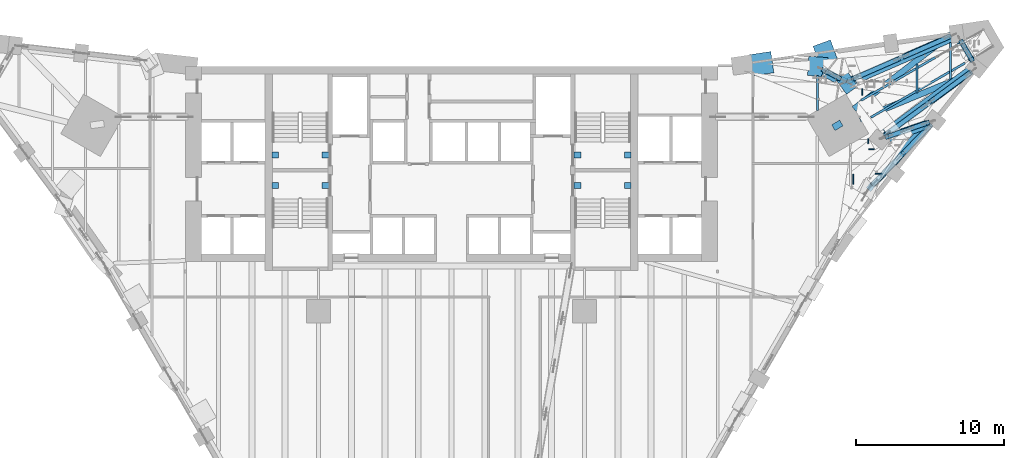
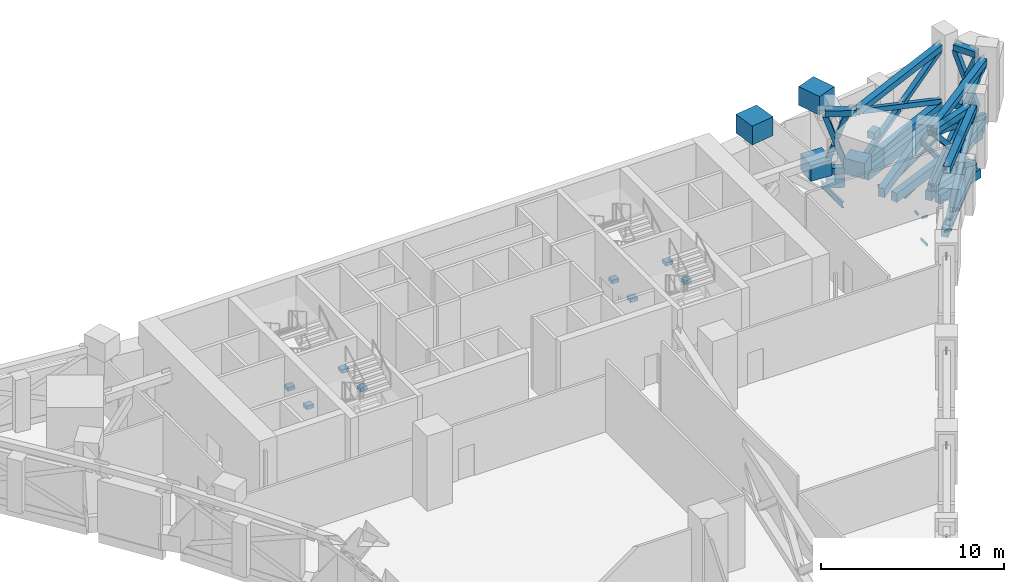
# One storey, part 5 of 22: 36 members, 23 beams, 1 element without a shape of its own.
"""IFC4 building model written with IfcOpenShell, lengths in metres."""

from ifc_helpers import new_model, si_unit, direction, frame, origin, origin_2d, place, context, subcontext, project, spatial, rectangle, hollow_rectangle, i_section, extrude, material, material_profile, profile_set, type_object, element, aggregate, save


model = new_model("IFC4")

# Units and contexts
model_context = context("Model", 3, precision=1e-05, world=origin(), true_north=direction((0.0, 1.0)))
body_context = subcontext(model_context, "Body", "Model", "MODEL_VIEW")
ifc_project = project(units=[si_unit("LENGTHUNIT", "METRE"), si_unit("AREAUNIT", "SQUARE_METRE"), si_unit("VOLUMEUNIT", "CUBIC_METRE"), si_unit("PLANEANGLEUNIT", "RADIAN"), si_unit("MASSUNIT", "GRAM", prefix="KILO")], contexts=[model_context])

# Site, building, storey
site_placement = place(None, origin())
site = spatial("IfcSite", under=ifc_project, at=site_placement, CompositionType="ELEMENT")
building_placement = place(site_placement, origin())
building = spatial("IfcBuilding", under=site, at=building_placement, Name="Calabash Gate Tower", CompositionType="ELEMENT")
storey_placement = place(building_placement, frame((0.0, 0.0, 86.800048828125)))
storey = spatial("IfcBuildingStorey", under=building, at=storey_placement, Name="L18", CompositionType="ELEMENT", Elevation=86.800048828125)

# Members
ifc_material_1 = material(Name="Steel ASTM A500 Gr C", Category="steel")
ifc_material_profile_1 = material_profile(ifc_material_1, hollow_rectangle(XDim=0.406494140625, YDim=0.406494140625, WallThickness=0.015869140625, at=origin_2d()))
ifc_profile_set_1 = profile_set([ifc_material_profile_1], Name="Steel ASTM A500 Gr C")
member_type_1 = type_object("IfcMemberType", Name="Belt truss chord HSS16X16X.625 ASTM A500 Gr C", PredefinedType="CHORD", material=ifc_profile_set_1)
member_1_placement = place(storey_placement, frame((28.51123046875, 11.059814453125, 0.203125), z_axis=(0.694063890922, 0.719913408209, 0.0), x_axis=(-0.719913408209, 0.694063890922, 0.0)))
element("IfcMember", 1, at=member_1_placement, inside=storey, type_object=member_type_1, Name="Belt chord L18 61", PredefinedType="CHORD", context=body_context, shape_type="SweptSolid", body=[
    extrude(hollow_rectangle(XDim=0.406494140625, YDim=0.406494140625, WallThickness=0.015869140625, at=origin_2d()), origin(), (0.0, 0.0, 1.0), 5.610107421875),
])
member_2_placement = place(storey_placement, frame((28.194091796875, 10.72998046875, 4.02685546875), z_axis=(0.693991100472, 0.719983577914, 0.0), x_axis=(-0.719983577914, 0.693991100472, 0.0)))
element("IfcMember", 2, at=member_2_placement, inside=storey, type_object=member_type_1, Name="Belt chord L18 62", PredefinedType="CHORD", context=body_context, shape_type="SweptSolid", body=[
    extrude(hollow_rectangle(XDim=0.406494140625, YDim=0.406494140625, WallThickness=0.015869140625, at=origin_2d()), origin(), (0.0, 0.0, 1.0), 6.067626953125),
])
for number, where, z_axis, x_axis, name in (
    (3, (32.21484375, 15.249267578125, 0.203125), (-0.944630590677, -0.32813571454, 0.0), (0.32813571454, -0.944630590677, 0.0), "Belt chord L18 66"),
    (4, (32.21484375, 15.249267578125, 4.02685546875), (-0.944630590677, -0.32813571454, 0.0), (0.32813571454, -0.944630590677, 0.0), "Belt chord L18 67"),
):
    element("IfcMember", number, at=place(storey_placement, frame(where, z_axis=z_axis, x_axis=x_axis)), inside=storey, type_object=member_type_1, Name=name, PredefinedType="CHORD", context=body_context, shape_type="SweptSolid", body=[
        extrude(hollow_rectangle(XDim=0.406494140625, YDim=0.406494140625, WallThickness=0.015869140625, at=origin_2d()), origin(), (0.0, 0.0, 1.0), 2.927734375),
    ])
for number, where, z_axis, x_axis, name in (
    (5, (29.32080078125, 14.390380859375, 0.203125), (0.804892704101, 0.593420369456, 0.0), (-0.593420369456, 0.804892704101, 0.0), "Belt chord L18 71"),
    (6, (29.32080078125, 14.390380859375, 4.02685546875), (0.804892704101, 0.593420369456, 0.0), (-0.593420369456, 0.804892704101, 0.0), "Belt chord L18 72"),
):
    element("IfcMember", number, at=place(storey_placement, frame(where, z_axis=z_axis, x_axis=x_axis)), inside=storey, type_object=member_type_1, Name=name, PredefinedType="CHORD", context=body_context, shape_type="SweptSolid", body=[
        extrude(hollow_rectangle(XDim=0.406494140625, YDim=0.406494140625, WallThickness=0.015869140625, at=origin_2d()), origin(), (0.0, 0.0, 1.0), 7.2236328125),
    ])
for number, where, z_axis, x_axis, name in (
    (7, (35.1875, 19.512939453125, 0.203125), (-0.500011304563, 0.866018876994, 0.0), (-0.866018876994, -0.500011304563, 0.0), "Belt chord L18 76"),
    (8, (35.1875, 19.512939453125, 4.02685546875), (-0.500011304563, 0.866018876994, 0.0), (-0.866018876994, -0.500011304563, 0.0), "Belt chord L18 77"),
):
    element("IfcMember", number, at=place(storey_placement, frame(where, z_axis=z_axis, x_axis=x_axis)), inside=storey, type_object=member_type_1, Name=name, PredefinedType="CHORD", context=body_context, shape_type="SweptSolid", body=[
        extrude(hollow_rectangle(XDim=0.406494140625, YDim=0.406494140625, WallThickness=0.015869140625, at=origin_2d()), origin(), (0.0, 0.0, 1.0), 1.39013671875),
    ])
member_3_placement = place(storey_placement, frame((33.7421875, 21.089111328125, 0.203125), z_axis=(-0.916367421899, -0.400338292051, 0.0), x_axis=(0.400338292051, -0.916367421899, 0.0)))
element("IfcMember", 9, at=member_3_placement, inside=storey, type_object=member_type_1, Name="Belt chord L18 81", PredefinedType="CHORD", context=body_context, shape_type="SweptSolid", body=[
    extrude(hollow_rectangle(XDim=0.406494140625, YDim=0.406494140625, WallThickness=0.015869140625, at=origin_2d()), origin(), (0.0, 0.0, 1.0), 7.223388671875),
])
member_4_placement = place(storey_placement, frame((33.7421875, 21.089111328125, 4.02685546875), z_axis=(-0.916388749611, -0.400289469742, 0.0), x_axis=(0.400289469742, -0.916388749611, 0.0)))
element("IfcMember", 10, at=member_4_placement, inside=storey, type_object=member_type_1, Name="Belt chord L18 82", PredefinedType="CHORD", context=body_context, shape_type="SweptSolid", body=[
    extrude(hollow_rectangle(XDim=0.406494140625, YDim=0.406494140625, WallThickness=0.015869140625, at=origin_2d()), origin(), (0.0, 0.0, 1.0), 7.694580078125),
])
member_5_placement = place(storey_placement, frame((26.202880859375, 18.2666015625, 0.203125), z_axis=(-0.887213320221, 0.461359430836, 0.0), x_axis=(-0.461359430836, -0.887213320221, 0.0)))
element("IfcMember", 11, at=member_5_placement, inside=storey, type_object=member_type_1, Name="Belt chord L18 86", PredefinedType="CHORD", context=body_context, shape_type="SweptSolid", body=[
    extrude(hollow_rectangle(XDim=0.406494140625, YDim=0.406494140625, WallThickness=0.015869140625, at=origin_2d()), origin(), (0.0, 0.0, 1.0), 1.148193359375),
])
member_6_placement = place(storey_placement, frame((26.698974609375, 18.008056640625, 4.02685546875), z_axis=(-0.887076319325, 0.461622793731, 0.0), x_axis=(-0.461622793731, -0.887076319325, 0.0)))
element("IfcMember", 12, at=member_6_placement, inside=storey, type_object=member_type_1, Name="Belt chord L18 87", PredefinedType="CHORD", context=body_context, shape_type="SweptSolid", body=[
    extrude(hollow_rectangle(XDim=0.406494140625, YDim=0.406494140625, WallThickness=0.015869140625, at=origin_2d()), origin(), (0.0, 0.0, 1.0), 1.707763671875),
])
ifc_material_2 = material(Name="Steel ASTM A500 Gr C", Category="steel")
ifc_material_profile_2 = material_profile(ifc_material_2, hollow_rectangle(XDim=0.3046875, YDim=0.3046875, WallThickness=0.0126953125, at=origin_2d()))
ifc_profile_set_2 = profile_set([ifc_material_profile_2], Name="Steel ASTM A500 Gr C")
member_type_2 = type_object("IfcMemberType", Name="Belt truss diagonal HSS12X12X.500 ASTM A500 Gr C", PredefinedType="BRACE", material=ifc_profile_set_2)
member_7_placement = place(storey_placement, frame((28.51123046875, 11.059814453125, 0.40625), z_axis=(0.592757331883, 0.614833816625, 0.520209691791), x_axis=(-0.719913408209, 0.694063890922, 0.0)))
element("IfcMember", 13, at=member_7_placement, inside=storey, type_object=member_type_2, Name="Belt diagonal L18 63", PredefinedType="BRACE", context=body_context, shape_type="SweptSolid", body=[
    extrude(hollow_rectangle(XDim=0.3046875, YDim=0.3046875, WallThickness=0.0126953125, at=origin_2d()), origin(), (0.0, 0.0, 1.0), 6.56884765625),
])
member_8_placement = place(storey_placement, frame((30.559814453125, 13.184814453125, 2.025634765625), z_axis=(0.592770687221, 0.614809396286, -0.520223335319), x_axis=(-0.71989181953, 0.694086282946, 0.0)))
element("IfcMember", 14, at=member_8_placement, inside=storey, type_object=member_type_2, Name="Belt diagonal (split) L18 65 half 2 of 2", PredefinedType="BRACE", context=body_context, shape_type="SweptSolid", body=[
    extrude(hollow_rectangle(XDim=0.3046875, YDim=0.3046875, WallThickness=0.0126953125, at=origin_2d()), origin(), (0.0, 0.0, 1.0), 3.11279296875),
])
member_9_placement = place(storey_placement, frame((32.21484375, 15.249267578125, 0.40625), z_axis=(-0.614596725714, -0.213492065297, 0.759402398466), x_axis=(0.32813571454, -0.944630590677, 0.0)))
element("IfcMember", 15, at=member_9_placement, inside=storey, type_object=member_type_2, Name="Belt diagonal L18 68", PredefinedType="BRACE", context=body_context, shape_type="SweptSolid", body=[
    extrude(hollow_rectangle(XDim=0.3046875, YDim=0.3046875, WallThickness=0.0126953125, at=origin_2d()), origin(), (0.0, 0.0, 1.0), 4.5),
])
member_10_placement = place(storey_placement, frame((32.21484375, 15.249267578125, 3.823486328125), z_axis=(-0.61457884448, -0.213558866717, -0.759398086885), x_axis=(0.328235848986, -0.944595801092, 0.0)))
element("IfcMember", 16, at=member_10_placement, inside=storey, type_object=member_type_2, Name="Belt diagonal (split) L18 69 half 1 of 2", PredefinedType="BRACE", context=body_context, shape_type="SweptSolid", body=[
    extrude(hollow_rectangle(XDim=0.3046875, YDim=0.3046875, WallThickness=0.0126953125, at=origin_2d()), origin(), (0.0, 0.0, 1.0), 2.095458984375),
])
member_11_placement = place(storey_placement, frame((30.7373046875, 14.73583984375, 1.997802734375), z_axis=(-0.614612251197, -0.213413503448, -0.759411915382), x_axis=(0.328020565966, -0.944670581898, 0.0)))
element("IfcMember", 17, at=member_11_placement, inside=storey, type_object=member_type_2, Name="Belt diagonal (split) L18 70 half 2 of 2", PredefinedType="BRACE", context=body_context, shape_type="SweptSolid", body=[
    extrude(hollow_rectangle(XDim=0.3046875, YDim=0.3046875, WallThickness=0.0126953125, at=origin_2d()), origin(), (0.0, 0.0, 1.0), 2.095703125),
])
member_12_placement = place(storey_placement, frame((29.32080078125, 14.390380859375, 0.40625), z_axis=(0.727585724759, 0.536424528882, 0.427630375371), x_axis=(-0.593420369456, 0.804892704101, 0.0)))
element("IfcMember", 18, at=member_12_placement, inside=storey, type_object=member_type_2, Name="Belt diagonal L18 73", PredefinedType="BRACE", context=body_context, shape_type="SweptSolid", body=[
    extrude(hollow_rectangle(XDim=0.3046875, YDim=0.3046875, WallThickness=0.0126953125, at=origin_2d()), origin(), (0.0, 0.0, 1.0), 7.9912109375),
])
member_13_placement = place(storey_placement, frame((29.32080078125, 14.390380859375, 3.823486328125), z_axis=(0.727586180109, 0.536434121837, -0.427617566808), x_axis=(-0.59342700394, 0.804887812676, 0.0)))
element("IfcMember", 19, at=member_13_placement, inside=storey, type_object=member_type_2, Name="Belt diagonal (split) L18 74 half 1 of 2", PredefinedType="BRACE", context=body_context, shape_type="SweptSolid", body=[
    extrude(hollow_rectangle(XDim=0.3046875, YDim=0.3046875, WallThickness=0.0126953125, at=origin_2d()), origin(), (0.0, 0.0, 1.0), 3.79833984375),
])
member_14_placement = place(storey_placement, frame((32.371337890625, 16.639404296875, 2.03076171875), z_axis=(0.727566181826, 0.536419377519, -0.427670086031), x_axis=(-0.59342700394, 0.804887812676, 0.0)))
element("IfcMember", 20, at=member_14_placement, inside=storey, type_object=member_type_2, Name="Belt diagonal (split) L18 75 half 2 of 2", PredefinedType="BRACE", context=body_context, shape_type="SweptSolid", body=[
    extrude(hollow_rectangle(XDim=0.3046875, YDim=0.3046875, WallThickness=0.0126953125, at=origin_2d()), origin(), (0.0, 0.0, 1.0), 3.798583984375),
])
member_15_placement = place(storey_placement, frame((35.1875, 19.512939453125, 0.40625), z_axis=(-0.188408331042, 0.326322964653, 0.926291327571), x_axis=(-0.866018876994, -0.500011304563, 0.0)))
element("IfcMember", 21, at=member_15_placement, inside=storey, type_object=member_type_2, Name="Belt diagonal L18 78", PredefinedType="BRACE", context=body_context, shape_type="SweptSolid", body=[
    extrude(hollow_rectangle(XDim=0.3046875, YDim=0.3046875, WallThickness=0.0126953125, at=origin_2d()), origin(), (0.0, 0.0, 1.0), 3.689208984375),
])
for number, where, z_axis, x_axis, name in (
    (22, (35.1875, 19.512939453125, 3.823486328125), (-0.188407430961, 0.326372713075, -0.926273983289), (-0.866052913447, -0.499952348839, 0.0), "Belt diagonal (split) L18 79 half 1 of 2"),
    (23, (34.798828125, 20.18603515625, 1.91259765625), (-0.188407430961, 0.326372713075, -0.926273983289), (-0.866052913447, -0.499952348839, 0.0), "Belt diagonal (split) L18 80 half 2 of 2"),
):
    element("IfcMember", number, at=place(storey_placement, frame(where, z_axis=z_axis, x_axis=x_axis)), inside=storey, type_object=member_type_2, Name=name, PredefinedType="BRACE", context=body_context, shape_type="SweptSolid", body=[
        extrude(hollow_rectangle(XDim=0.3046875, YDim=0.3046875, WallThickness=0.0126953125, at=origin_2d()), origin(), (0.0, 0.0, 1.0), 1.626220703125),
    ])
member_16_placement = place(storey_placement, frame((33.7421875, 21.089111328125, 0.40625), z_axis=(-0.828352080436, -0.361886563374, 0.427634126429), x_axis=(0.400338292051, -0.916367421899, 0.0)))
element("IfcMember", 24, at=member_16_placement, inside=storey, type_object=member_type_2, Name="Belt diagonal L18 83", PredefinedType="BRACE", context=body_context, shape_type="SweptSolid", body=[
    extrude(hollow_rectangle(XDim=0.3046875, YDim=0.3046875, WallThickness=0.0126953125, at=origin_2d()), origin(), (0.0, 0.0, 1.0), 7.990966796875),
])
member_17_placement = place(storey_placement, frame((33.7421875, 21.089111328125, 3.823486328125), z_axis=(-0.828369585292, -0.361865360428, -0.427618160378), x_axis=(0.400311491439, -0.916379129958, 0.0)))
element("IfcMember", 25, at=member_17_placement, inside=storey, type_object=member_type_2, Name="Belt diagonal (split) L18 84 half 1 of 2", PredefinedType="BRACE", context=body_context, shape_type="SweptSolid", body=[
    extrude(hollow_rectangle(XDim=0.3046875, YDim=0.3046875, WallThickness=0.0126953125, at=origin_2d()), origin(), (0.0, 0.0, 1.0), 3.79833984375),
])
member_18_placement = place(storey_placement, frame((30.269287109375, 19.572021484375, 2.03076171875), z_axis=(-0.828327550575, -0.361911269188, -0.427660732583), x_axis=(0.400371197923, -0.916353045433, 0.0)))
element("IfcMember", 26, at=member_18_placement, inside=storey, type_object=member_type_2, Name="Belt diagonal (split) L18 85 half 2 of 2", PredefinedType="BRACE", context=body_context, shape_type="SweptSolid", body=[
    extrude(hollow_rectangle(XDim=0.3046875, YDim=0.3046875, WallThickness=0.0126953125, at=origin_2d()), origin(), (0.0, 0.0, 1.0), 3.798583984375),
])
member_19_placement = place(storey_placement, frame((26.202880859375, 18.2666015625, 0.40625), z_axis=(-0.28260605022, 0.146957855015, 0.947912026102), x_axis=(-0.461359430836, -0.887213320221, 0.0)))
element("IfcMember", 27, at=member_19_placement, inside=storey, type_object=member_type_2, Name="Belt diagonal L18 88", PredefinedType="BRACE", context=body_context, shape_type="SweptSolid", body=[
    extrude(hollow_rectangle(XDim=0.3046875, YDim=0.3046875, WallThickness=0.0126953125, at=origin_2d()), origin(), (0.0, 0.0, 1.0), 3.60498046875),
])
member_20_placement = place(storey_placement, frame((26.202880859375, 18.2666015625, 3.823486328125), z_axis=(-0.282580139023, 0.146960573973, -0.94791932923), x_axis=(-0.461399448834, -0.887192509333, 0.0)))
element("IfcMember", 28, at=member_20_placement, inside=storey, type_object=member_type_2, Name="Belt diagonal (split) L18 89 half 1 of 2", PredefinedType="BRACE", context=body_context, shape_type="SweptSolid", body=[
    extrude(hollow_rectangle(XDim=0.3046875, YDim=0.3046875, WallThickness=0.0126953125, at=origin_2d()), origin(), (0.0, 0.0, 1.0), 1.550048828125),
])
member_21_placement = place(storey_placement, frame((25.622314453125, 18.568603515625, 1.875732421875), z_axis=(-0.282682861483, 0.146932094576, -0.947893116025), x_axis=(-0.461197088397, -0.887297720979, 0.0)))
element("IfcMember", 29, at=member_21_placement, inside=storey, type_object=member_type_2, Name="Belt diagonal (split) L18 90 half 2 of 2", PredefinedType="BRACE", context=body_context, shape_type="SweptSolid", body=[
    extrude(hollow_rectangle(XDim=0.3046875, YDim=0.3046875, WallThickness=0.0126953125, at=origin_2d()), origin(), (0.0, 0.0, 1.0), 1.55029296875),
])

# Beams
ifc_material_3 = material(Name="Concrete C80/95", Category="concrete")
ifc_material_profile_3 = material_profile(ifc_material_3, rectangle(XDim=0.449951171875, YDim=0.449951171875, at=origin_2d()))
ifc_profile_set_3 = profile_set([ifc_material_profile_3], Name="Concrete C80/95")
beam_type_1 = type_object("IfcBeamType", Name="Column offset link RC 450x450 Concrete C80/95", PredefinedType="BEAM", material=ifc_profile_set_3)
beam_1_placement = place(storey_placement, frame((25.826904296875, 14.909912109375, 4.60400390625), z_axis=(0.863989702869, 0.503509476908, 0.0), x_axis=(-0.503509476908, 0.863989702869, 0.0)))
element("IfcBeam", 30, at=beam_1_placement, inside=storey, type_object=beam_type_1, Name="Column offset link L18 NE", PredefinedType="BEAM", context=body_context, shape_type="SweptSolid", body=[
    extrude(rectangle(XDim=0.449951171875, YDim=0.449951171875, at=origin_2d()), origin(), (0.0, 0.0, 1.0), 0.6298828125),
])
ifc_material_4 = material(Name="Concrete C60/75", Category="concrete")
ifc_material_profile_4 = material_profile(ifc_material_4, rectangle(XDim=0.39990234375, YDim=0.60009765625, at=origin_2d()))
ifc_profile_set_4 = profile_set([ifc_material_profile_4], Name="Concrete C60/75")
beam_type_2 = type_object("IfcBeamType", Name="Edge beam RC 400x600 Concrete C60/75", PredefinedType="BEAM", material=ifc_profile_set_4)
beam_2_placement = place(storey_placement, frame((28.319091796875, 11.14794921875, -0.469970703125), z_axis=(0.694173873611, 0.719807358393, 0.0), x_axis=(-0.719807358393, 0.694173873611, 0.0)))
element("IfcBeam", 31, at=beam_2_placement, inside=storey, type_object=beam_type_2, Name="Edge beam L18 12", PredefinedType="BEAM", context=body_context, shape_type="SweptSolid", body=[
    extrude(rectangle(XDim=0.39990234375, YDim=0.60009765625, at=origin_2d()), origin(), (0.0, 0.0, 1.0), 6.133544921875),
])
beam_3_placement = place(storey_placement, frame((32.787109375, 15.237060546875, -0.469970703125), z_axis=(-0.944588895533, -0.3282557211, 0.0), x_axis=(0.3282557211, -0.944588895533, 0.0)))
element("IfcBeam", 32, at=beam_3_placement, inside=storey, type_object=beam_type_2, Name="Edge beam L18 13", PredefinedType="BEAM", context=body_context, shape_type="SweptSolid", body=[
    extrude(rectangle(XDim=0.39990234375, YDim=0.60009765625, at=origin_2d()), origin(), (0.0, 0.0, 1.0), 3.3603515625),
])
beam_4_placement = place(storey_placement, frame((29.306884765625, 14.626953125, -0.469970703125), z_axis=(0.804683634862, 0.593703838446, 0.0), x_axis=(-0.593703838446, 0.804683634862, 0.0)))
element("IfcBeam", 33, at=beam_4_placement, inside=storey, type_object=beam_type_2, Name="Edge beam L18 14", PredefinedType="BEAM", context=body_context, shape_type="SweptSolid", body=[
    extrude(rectangle(XDim=0.39990234375, YDim=0.60009765625, at=origin_2d()), origin(), (0.0, 0.0, 1.0), 7.224365234375),
])
beam_5_placement = place(storey_placement, frame((34.75, 18.424072265625, -0.469970703125), z_axis=(-0.924316314402, -0.381627240813, 0.0), x_axis=(0.381627240813, -0.924316314402, 0.0)))
element("IfcBeam", 34, at=beam_5_placement, inside=storey, type_object=beam_type_2, Name="Edge beam L18 15", PredefinedType="BEAM", context=body_context, shape_type="SweptSolid", body=[
    extrude(rectangle(XDim=0.39990234375, YDim=0.60009765625, at=origin_2d()), origin(), (0.0, 0.0, 1.0), 7.70947265625),
])
beam_6_placement = place(storey_placement, frame((27.219970703125, 16.181884765625, -0.469970703125), z_axis=(0.792635578137, 0.609695694811, 0.0), x_axis=(-0.609695694811, 0.792635578137, 0.0)))
element("IfcBeam", 35, at=beam_6_placement, inside=storey, type_object=beam_type_2, Name="Edge beam L18 16", PredefinedType="BEAM", context=body_context, shape_type="SweptSolid", body=[
    extrude(rectangle(XDim=0.39990234375, YDim=0.60009765625, at=origin_2d()), origin(), (0.0, 0.0, 1.0), 8.614501953125),
])
beam_7_placement = place(storey_placement, frame((34.25, 21.093017578125, -0.469970703125), z_axis=(-0.916434985111, -0.400183605441, 0.0), x_axis=(0.400183605441, -0.916434985111, 0.0)))
element("IfcBeam", 36, at=beam_7_placement, inside=storey, type_object=beam_type_2, Name="Edge beam L18 17", PredefinedType="BEAM", context=body_context, shape_type="SweptSolid", body=[
    extrude(rectangle(XDim=0.39990234375, YDim=0.60009765625, at=origin_2d()), origin(), (0.0, 0.0, 1.0), 7.561767578125),
])
beam_8_placement = place(storey_placement, frame((26.035888671875, 18.1279296875, -0.469970703125), z_axis=(-0.887178370669, 0.461426634057, 0.0), x_axis=(-0.461426634057, -0.887178370669, 0.0)))
element("IfcBeam", 37, at=beam_8_placement, inside=storey, type_object=beam_type_2, Name="Edge beam L18 18", PredefinedType="BEAM", context=body_context, shape_type="SweptSolid", body=[
    extrude(rectangle(XDim=0.39990234375, YDim=0.60009765625, at=origin_2d()), origin(), (0.0, 0.0, 1.0), 1.040283203125),
])
ifc_material_5 = material(Name="Steel ASTM A992 Gr50", Category="steel")
ifc_material_profile_5 = material_profile(ifc_material_5, i_section(OverallWidth=0.1396484375, OverallDepth=0.398681640625, WebThickness=0.00634765625, FlangeThickness=0.0087890625, FilletRadius=0.01025390625, at=origin_2d()))
ifc_profile_set_5 = profile_set([ifc_material_profile_5], Name="Steel ASTM A992 Gr50")
beam_type_3 = type_object("IfcBeamType", Name="Floor beam W16x26 ASTM A992 Gr50", PredefinedType="BEAM", material=ifc_profile_set_5)
beam_9_placement = place(storey_placement, frame((24.75, 16.06689453125, -0.369140625), z_axis=(0.0, 1.0, 0.0), x_axis=(-1.0, 0.0, 0.0)))
element("IfcBeam", 38, at=beam_9_placement, inside=storey, type_object=beam_type_3, Name="Floor beam L18 45", PredefinedType="BEAM", context=body_context, shape_type="SweptSolid", body=[
    extrude(i_section(OverallWidth=0.1396484375, OverallDepth=0.398681640625, WebThickness=0.00634765625, FlangeThickness=0.0087890625, FilletRadius=0.01025390625, at=origin_2d()), origin(), (0.0, 0.0, 1.0), 2.385986328125),
])
beam_10_placement = place(storey_placement, frame((31.5, 17.26708984375, -0.369140625), z_axis=(0.0, 1.0, 0.0), x_axis=(-1.0, 0.0, 0.0)))
element("IfcBeam", 39, at=beam_10_placement, inside=storey, type_object=beam_type_3, Name="Floor beam L18 47", PredefinedType="BEAM", context=body_context, shape_type="SweptSolid", body=[
    extrude(i_section(OverallWidth=0.1396484375, OverallDepth=0.398681640625, WebThickness=0.00634765625, FlangeThickness=0.0087890625, FilletRadius=0.01025390625, at=origin_2d()), origin(), (0.0, 0.0, 1.0), 1.966796875),
])
beam_11_placement = place(storey_placement, frame((33.75, 18.217041015625, -0.369140625), z_axis=(0.0, 1.0, 0.0), x_axis=(-1.0, 0.0, 0.0)))
element("IfcBeam", 40, at=beam_11_placement, inside=storey, type_object=beam_type_3, Name="Floor beam L18 48", PredefinedType="BEAM", context=body_context, shape_type="SweptSolid", body=[
    extrude(i_section(OverallWidth=0.1396484375, OverallDepth=0.398681640625, WebThickness=0.00634765625, FlangeThickness=0.0087890625, FilletRadius=0.01025390625, at=origin_2d()), origin(), (0.0, 0.0, 1.0), 2.4609375),
])
ifc_material_6 = material(Name="Concrete C60/75", Category="concrete")
ifc_material_profile_6 = material_profile(ifc_material_6, rectangle(XDim=0.39990234375, YDim=0.25, at=origin_2d()))
ifc_profile_set_6 = profile_set([ifc_material_profile_6], Name="Concrete C60/75")
beam_type_4 = type_object("IfcBeamType", Name="Landing corbel RC 400x250 Concrete C60/75", PredefinedType="BEAM", material=ifc_profile_set_6)
for number, where, z_axis, x_axis, name in (
    (41, (-12.14990234375, 13.052978515625, 2.174072265625), (1.0, 0.0, 0.0), (0.0, 1.0, 0.0), "Landing corbel ST1-L18/L2 west"),
    (42, (-8.300048828125, 13.052978515625, 2.174072265625), (-1.0, 0.0, 0.0), (0.0, -1.0, 0.0), "Landing corbel ST1-L18/L2 east"),
    (43, (-12.14990234375, 11.0029296875, 2.174072265625), (1.0, 0.0, 0.0), (0.0, 1.0, 0.0), "Landing corbel ST2-L18/L2 west"),
    (44, (-8.300048828125, 11.0029296875, 2.174072265625), (-1.0, 0.0, 0.0), (0.0, -1.0, 0.0), "Landing corbel ST2-L18/L2 east"),
    (45, (8.300048828125, 13.052978515625, 2.174072265625), (1.0, 0.0, 0.0), (0.0, 1.0, 0.0), "Landing corbel ST3-L18/L2 west"),
    (46, (12.14990234375, 13.052978515625, 2.174072265625), (-1.0, 0.0, 0.0), (0.0, -1.0, 0.0), "Landing corbel ST3-L18/L2 east"),
    (47, (8.300048828125, 11.0029296875, 2.174072265625), (1.0, 0.0, 0.0), (0.0, 1.0, 0.0), "Landing corbel ST4-L18/L2 west"),
    (48, (12.14990234375, 11.0029296875, 2.174072265625), (-1.0, 0.0, 0.0), (0.0, -1.0, 0.0), "Landing corbel ST4-L18/L2 east"),
):
    element("IfcBeam", number, at=place(storey_placement, frame(where, z_axis=z_axis, x_axis=x_axis)), inside=storey, type_object=beam_type_4, Name=name, PredefinedType="BEAM", context=body_context, shape_type="SweptSolid", body=[
        extrude(rectangle(XDim=0.39990234375, YDim=0.25, at=origin_2d()), origin(), (0.0, 0.0, 1.0), 0.449951171875),
    ])

# Curtain wall, members
ifc_material_7 = material(Name="Anodised aluminium frame, bronze finish, dark tinted laminated glass", Category="aluminium")
curtain_wall_type = type_object("IfcCurtainWallType", Name="Curtain wall CWD soffit glazing", PredefinedType="NOTDEFINED", material=ifc_material_7)
curtain_wall_placement = place(storey_placement, origin())
curtain_wall = element("IfcCurtainWall", 49, at=curtain_wall_placement, inside=storey, type_object=curtain_wall_type, Name="Curtain wall CWD soffit Z2 NE", PredefinedType="NOTDEFINED")
ifc_material_8 = material(Name="Anodised aluminium frame, bronze finish", Category="aluminium")
ifc_material_profile_7 = material_profile(ifc_material_8, rectangle(XDim=0.14990234375, YDim=0.070068359375, at=origin_2d()))
ifc_profile_set_7 = profile_set([ifc_material_profile_7], Name="Anodised aluminium frame, bronze finish")
member_type_3 = type_object("IfcMemberType", Name="Soffit raking mullion 150x70", PredefinedType="MULLION", material=ifc_profile_set_7)
member_22_placement = place(storey_placement, frame((28.194091796875, 13.840087890625, -0.85009765625), z_axis=(0.0, 0.999832076345, 0.018325367968), x_axis=(0.0, -0.018325367968, 0.999832076345)))
member_22 = element("IfcMember", 50, at=member_22_placement, type_object=member_type_3, Name="Soffit joint mullion Z2 NE 12", PredefinedType="MULLION", context=body_context, shape_type="SweptSolid", body=[
    extrude(rectangle(XDim=0.14990234375, YDim=0.070068359375, at=origin_2d()), origin(), (0.0, 0.0, 1.0), 0.3330078125),
])
member_23_placement = place(storey_placement, frame((27.783447265625, 17.155029296875, -0.772216796875), z_axis=(0.0, 0.83325850336, -0.552883592249), x_axis=(0.0, 0.552883592249, 0.83325850336)))
member_23 = element("IfcMember", 51, at=member_23_placement, type_object=member_type_3, Name="Soffit joint mullion Z2 NE 13", PredefinedType="MULLION", context=body_context, shape_type="SweptSolid", body=[
    extrude(rectangle(XDim=0.14990234375, YDim=0.070068359375, at=origin_2d()), origin(), (0.0, 0.0, 1.0), 0.4345703125),
])
member_24_placement = place(storey_placement, frame((27.175048828125, 11.764892578125, -0.84765625), z_axis=(0.0, -0.999826155748, -0.018645596852), x_axis=(0.0, -0.018645596852, 0.999826155748)))
member_24 = element("IfcMember", 52, at=member_24_placement, type_object=member_type_3, Name="Soffit joint mullion Z2 NE 17", PredefinedType="MULLION", context=body_context, shape_type="SweptSolid", body=[
    extrude(rectangle(XDim=0.14990234375, YDim=0.070068359375, at=origin_2d()), origin(), (0.0, 0.0, 1.0), 0.69384765625),
])
member_25_placement = place(storey_placement, frame((28.591064453125, 13.467529296875, -0.873046875), z_axis=(-0.999190727139, 0.0, 0.040223013297), x_axis=(0.040223013297, 0.0, 0.999190727139)))
member_25 = element("IfcMember", 53, at=member_25_placement, type_object=member_type_3, Name="Soffit joint mullion Z2 NE 21", PredefinedType="MULLION", context=body_context, shape_type="SweptSolid", body=[
    extrude(rectangle(XDim=0.14990234375, YDim=0.070068359375, at=origin_2d()), origin(), (0.0, 0.0, 1.0), 0.38232421875),
])
member_26_placement = place(storey_placement, frame((29.117919921875, 11.787109375, -0.92529296875), z_axis=(-0.999180408682, 0.0, 0.040478524019), x_axis=(0.040478524019, 0.0, 0.999180408682)))
member_26 = element("IfcMember", 54, at=member_26_placement, type_object=member_type_3, Name="Soffit joint mullion Z2 NE 26", PredefinedType="MULLION", context=body_context, shape_type="SweptSolid", body=[
    extrude(rectangle(XDim=0.14990234375, YDim=0.070068359375, at=origin_2d()), origin(), (0.0, 0.0, 1.0), 0.45849609375),
])
member_27_placement = place(storey_placement, frame((28.368896484375, 15.611572265625, -0.882568359375), z_axis=(0.866024621718, 0.49999800823, -0.001829301567), x_axis=(-0.499998844815, 0.86602607073, 0.0)))
member_27 = element("IfcMember", 55, at=member_27_placement, type_object=member_type_3, Name="Soffit raking mullion Z2 NE 1", PredefinedType="MULLION", context=body_context, shape_type="SweptSolid", body=[
    extrude(rectangle(XDim=0.14990234375, YDim=0.070068359375, at=origin_2d()), origin(), (0.0, 0.0, 1.0), 7.34033203125),
])
member_28_placement = place(storey_placement, frame((27.70458984375, 16.762451171875, -0.882568359375), z_axis=(0.86602484449, 0.499997594352, -0.001836945618), x_axis=(-0.499998437942, 0.866026305637, 0.0)))
member_28 = element("IfcMember", 56, at=member_28_placement, type_object=member_type_3, Name="Soffit raking mullion Z2 NE 2", PredefinedType="MULLION", context=body_context, shape_type="SweptSolid", body=[
    extrude(rectangle(XDim=0.14990234375, YDim=0.070068359375, at=origin_2d()), origin(), (0.0, 0.0, 1.0), 7.70849609375),
])
aggregate(curtain_wall, [member_22, member_23, member_24, member_25, member_26, member_27, member_28])

# Beams
ifc_material_9 = material(Name="Concrete C70/85", Category="concrete")
ifc_material_profile_8 = material_profile(ifc_material_9, rectangle(XDim=1.25, YDim=1.25, at=origin_2d()))
ifc_profile_set_8 = profile_set([ifc_material_profile_8], Name="Concrete C70/85")
beam_type_5 = type_object("IfcBeamType", Name="Transfer node RC 1250x1250 Concrete C70/85", PredefinedType="BEAM", material=ifc_profile_set_8)
beam_12_placement = place(storey_placement, frame((25.553955078125, 19.23193359375, 4.376953125), z_axis=(-0.341835031895, 0.93975997519, 0.0), x_axis=(-0.93975997519, -0.341835031895, 0.0)))
element("IfcBeam", 57, at=beam_12_placement, inside=storey, type_object=beam_type_5, Name="Transfer node L18 head P16", PredefinedType="BEAM", context=body_context, shape_type="SweptSolid", body=[
    extrude(rectangle(XDim=1.25, YDim=1.25, at=origin_2d()), origin(), (0.0, 0.0, 1.0), 1.491943359375),
])
ifc_material_10 = material(Name="Concrete C70/85", Category="concrete")
ifc_material_profile_9 = material_profile(ifc_material_10, rectangle(XDim=1.300048828125, YDim=1.050048828125, at=origin_2d()))
ifc_profile_set_9 = profile_set([ifc_material_profile_9], Name="Concrete C70/85")
beam_type_6 = type_object("IfcBeamType", Name="Transfer node RC 1300x1050 Concrete C70/85", PredefinedType="BEAM", material=ifc_profile_set_9)
beam_13_placement = place(storey_placement, frame((24.818115234375, 19.697021484375, 0.52685546875), z_axis=(-0.068435308769, -0.997655556048, 0.0), x_axis=(0.997655556048, -0.068435308769, 0.0)))
element("IfcBeam", 58, at=beam_13_placement, inside=storey, type_object=beam_type_6, Name="Transfer node L18 foot P24", PredefinedType="BEAM", context=body_context, shape_type="SweptSolid", body=[
    extrude(rectangle(XDim=1.300048828125, YDim=1.050048828125, at=origin_2d()), origin(), (0.0, 0.0, 1.0), 1.30224609375),
])
ifc_material_11 = material(Name="Concrete C70/85", Category="concrete")
ifc_material_profile_10 = material_profile(ifc_material_11, rectangle(XDim=1.449951171875, YDim=1.25, at=origin_2d()))
ifc_profile_set_10 = profile_set([ifc_material_profile_10], Name="Concrete C70/85")
beam_type_7 = type_object("IfcBeamType", Name="Transfer node RC 1450x1250 Concrete C70/85", PredefinedType="BEAM", material=ifc_profile_set_10)
beam_14_placement = place(storey_placement, frame((20.876953125, 19.9541015625, 4.376953125), z_axis=(0.144767023099, -0.989465769506, 0.0), x_axis=(0.989465769506, 0.144767023099, 0.0)))
element("IfcBeam", 59, at=beam_14_placement, inside=storey, type_object=beam_type_7, Name="Transfer node L18 head P24", PredefinedType="BEAM", context=body_context, shape_type="SweptSolid", body=[
    extrude(rectangle(XDim=1.449951171875, YDim=1.25, at=origin_2d()), origin(), (0.0, 0.0, 1.0), 1.450439453125),
])
ifc_material_12 = material(Name="Concrete C70/85", Category="concrete")
ifc_material_profile_11 = material_profile(ifc_material_12, rectangle(XDim=0.949951171875, YDim=1.050048828125, at=origin_2d()))
ifc_profile_set_11 = profile_set([ifc_material_profile_11], Name="Concrete C70/85")
beam_type_8 = type_object("IfcBeamType", Name="Transfer node RC 950x1050 Concrete C70/85", PredefinedType="BEAM", material=ifc_profile_set_11)
beam_15_placement = place(storey_placement, frame((27.10400390625, 17.449951171875, 0.52685546875), z_axis=(-0.589717404322, 0.807609672453, 0.0), x_axis=(-0.807609672453, -0.589717404322, 0.0)))
element("IfcBeam", 60, at=beam_15_placement, inside=storey, type_object=beam_type_8, Name="Transfer node L18 foot P16", PredefinedType="BEAM", context=body_context, shape_type="SweptSolid", body=[
    extrude(rectangle(XDim=0.949951171875, YDim=1.050048828125, at=origin_2d()), origin(), (0.0, 0.0, 1.0), 1.248291015625),
])

save(model, "model.ifc")
